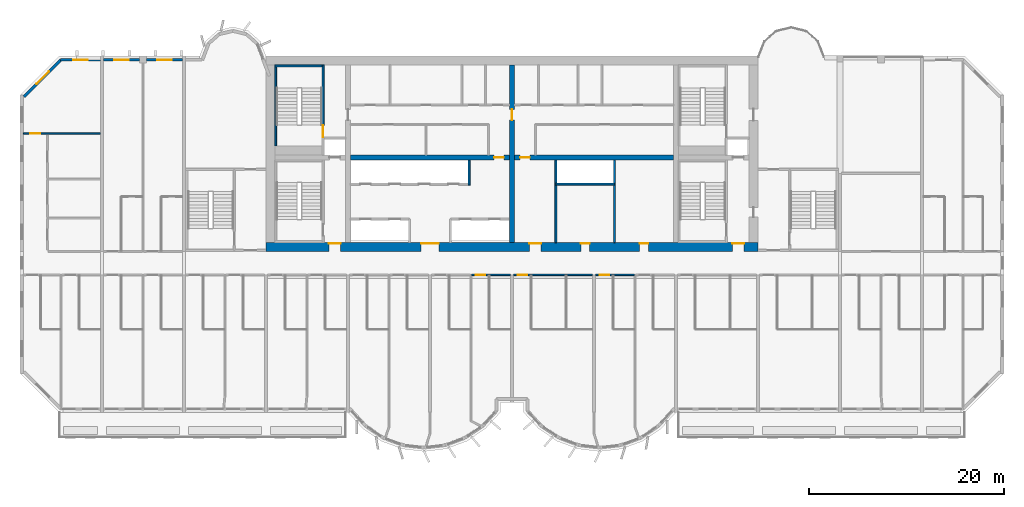
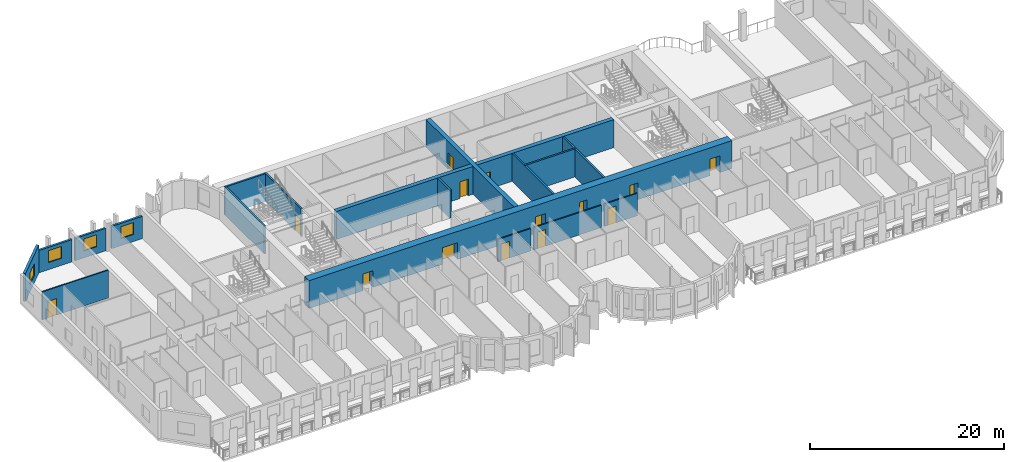
# One storey, part 7 of 15: 19 walls, 14 doors, 4 windows, 18 openings.
"""IFC4 building model written with IfcOpenShell, lengths in metres."""

from ifc_helpers import new_model, si_unit, direction, frame, frame_2d, origin, place, context, subcontext, project, spatial, rectangle, extrude, source, transform, mapped, material, layer, layer_set, type_object, element, fill, save


model = new_model("IFC4")

# Units and contexts
model_context = context("Model", 3, precision=1e-05, world=origin(), true_north=direction((0.0, 1.0)))
body_context = subcontext(model_context, "Body", "Model", "MODEL_VIEW")
ifc_project = project(units=[si_unit("LENGTHUNIT", "METRE"), si_unit("AREAUNIT", "SQUARE_METRE"), si_unit("VOLUMEUNIT", "CUBIC_METRE"), si_unit("PLANEANGLEUNIT", "RADIAN"), si_unit("MASSUNIT", "GRAM", prefix="KILO")], contexts=[model_context])

# Site, building, storey
site_placement = place(None, origin())
site = spatial("IfcSite", under=ifc_project, at=site_placement, CompositionType="ELEMENT")
building_placement = place(site_placement, origin())
building = spatial("IfcBuilding", under=site, at=building_placement, Name="Vanashikhar Sky Hotel", CompositionType="ELEMENT")
storey_placement = place(building_placement, frame((0.0, 0.0, 106.60009765625)))
storey = spatial("IfcBuildingStorey", under=building, at=storey_placement, Name="L25", CompositionType="ELEMENT", Elevation=106.60009765625)

# Wall, openings, doors
ifc_material_1 = material(Name="Concrete M70", Category="concrete")
ifc_layer_1 = layer(ifc_material_1, 0.89990234375)
ifc_layer_set_1 = layer_set([ifc_layer_1], Name="RC core shell wall 900 Concrete M70")
wall_type_1 = type_object("IfcWallType", Name="RC core shell wall 900 Concrete M70", PredefinedType="SHEAR", material=ifc_layer_set_1)
shared_shape_1 = source(origin(), body_context, "Body", "SweptSolid", [
    extrude(rectangle(XDim=50.400146484375, YDim=0.89990234375, at=frame_2d((25.2001953125, 0.0))), origin(), (0.0, 0.0, 1.0), 3.52001953125),
])
wall_1_placement = place(storey_placement, frame((25.199951171875, 22.449951171875, 0.0), z_axis=(0.0, 0.0, 1.0), x_axis=(1.0, 0.0, 0.0)))
wall_1 = element("IfcWall", 1, at=wall_1_placement, inside=storey, type_object=wall_type_1, Name="KW-L25-KS", PredefinedType="SHEAR", context=body_context, shape_type="MappedRepresentation", body=[
    mapped(shared_shape_1, transform((0.0, 0.0, 0.0), scale=1.0)),
])
shared_shape_2 = source(origin(), body_context, "Body", "SweptSolid", [
    extrude(rectangle(XDim=1.800048828125, YDim=2.10009765625, at=frame_2d((0.89990234375, 1.050048828125))), frame((0.0, 0.4599609375, 0.0), z_axis=(0.0, -1.0, 0.0), x_axis=(1.0, 0.0, 0.0)), (0.0, 0.0, 1.0), 0.919921875),
])
opening_1_placement = place(wall_1_placement, frame((15.89990234375, 0.0, 0.0)))
opening_1 = element("IfcOpeningElement", 2, at=opening_1_placement, cuts=wall_1, Name="Opening DC-3-A", PredefinedType="OPENING", context=body_context, shape_type="MappedRepresentation", body=[
    mapped(shared_shape_2, transform((0.0, 0.0, 0.0), scale=1.0)),
])
shared_shape_3 = source(origin(), body_context, "Body", "SweptSolid", [
    extrude(rectangle(XDim=1.199951171875, YDim=2.10009765625, at=frame_2d((0.60009765625, 1.050048828125))), frame((0.0, 0.4599609375, 0.0), z_axis=(0.0, -1.0, 0.0), x_axis=(1.0, 0.0, 0.0)), (0.0, 0.0, 1.0), 0.919921875),
])
opening_2_placement = place(wall_1_placement, frame((26.97509765625, 0.0, 0.0)))
opening_2 = element("IfcOpeningElement", 3, at=opening_2_placement, cuts=wall_1, Name="Opening DC-4-B", PredefinedType="OPENING", context=body_context, shape_type="MappedRepresentation", body=[
    mapped(shared_shape_3, transform((0.0, 0.0, 0.0), scale=1.0)),
])
shared_shape_4 = source(origin(), body_context, "Body", "SweptSolid", [
    extrude(rectangle(XDim=0.89990234375, YDim=2.10009765625, at=frame_2d((0.449951171875, 1.050048828125))), frame((0.0, 0.4599609375, 0.0), z_axis=(0.0, -1.0, 0.0), x_axis=(1.0, 0.0, 0.0)), (0.0, 0.0, 1.0), 0.919921875),
])
opening_3_placement = place(wall_1_placement, frame((32.25, 0.0, 0.0)))
opening_3 = element("IfcOpeningElement", 4, at=opening_3_placement, cuts=wall_1, Name="Opening DC-4-A", PredefinedType="OPENING", context=body_context, shape_type="MappedRepresentation", body=[
    mapped(shared_shape_4, transform((0.0, 0.0, 0.0), scale=1.0)),
])
opening_4_placement = place(wall_1_placement, frame((38.27490234375, 0.0, 0.0)))
opening_4 = element("IfcOpeningElement", 5, at=opening_4_placement, cuts=wall_1, Name="Opening DC-4-A", PredefinedType="OPENING", context=body_context, shape_type="MappedRepresentation", body=[
    mapped(shared_shape_4, transform((0.0, 0.0, 0.0), scale=1.0)),
])
opening_5_placement = place(wall_1_placement, frame((6.449951171875, 0.0, 0.0)))
opening_5 = element("IfcOpeningElement", 6, at=opening_5_placement, cuts=wall_1, Name="Opening DC-2", PredefinedType="OPENING", context=body_context, shape_type="MappedRepresentation", body=[
    mapped(shared_shape_3, transform((0.0, 0.0, 0.0), scale=1.0)),
])
opening_6_placement = place(wall_1_placement, frame((47.77490234375, 0.0, 0.0)))
opening_6 = element("IfcOpeningElement", 7, at=opening_6_placement, cuts=wall_1, Name="Opening DC-2", PredefinedType="OPENING", context=body_context, shape_type="MappedRepresentation", body=[
    mapped(shared_shape_3, transform((0.0, 0.0, 0.0), scale=1.0)),
])
ifc_material_2 = material(Name="Glass", Category="glass")
door_type_1 = type_object("IfcDoorType", Name="Lift lobby entrance door 1800 FD30S", OperationType="NOTDEFINED", PredefinedType="DOOR", material=ifc_material_2)
shared_shape_5 = source(origin(), body_context, "Body", "SweptSolid", [
    extrude(rectangle(XDim=1.800048828125, YDim=2.10009765625, at=frame_2d((0.89990234375, 1.050048828125))), frame((0.0, 0.375, 0.0), z_axis=(0.0, -1.0, 0.0), x_axis=(1.0, 0.0, 0.0)), (0.0, 0.0, 1.0), 0.050048828125),
])
door_1_placement = place(opening_1_placement, origin())
door_1 = element("IfcDoor", 8, at=door_1_placement, inside=storey, type_object=door_type_1, Name="Lift lobby entrance door 1800 FD30S", OperationType="DOUBLE_DOOR_SINGLE_SWING", OverallHeight=2.10009765625, OverallWidth=1.800048828125, PredefinedType="DOOR", context=body_context, shape_type="MappedRepresentation", body=[
    mapped(shared_shape_5, transform((0.0, 0.0, 0.0), scale=1.0)),
])
fill(opening_1, door_1)
ifc_material_3 = material(Name="Steel", Category="steel")
door_type_2 = type_object("IfcDoorType", Name="Service door 1200 FD60", OperationType="NOTDEFINED", PredefinedType="DOOR", material=ifc_material_3)
shared_shape_6 = source(origin(), body_context, "Body", "SweptSolid", [
    extrude(rectangle(XDim=1.199951171875, YDim=2.10009765625, at=frame_2d((0.60009765625, 1.050048828125))), frame((0.0, 0.375, 0.0), z_axis=(0.0, -1.0, 0.0), x_axis=(1.0, 0.0, 0.0)), (0.0, 0.0, 1.0), 0.050048828125),
])
door_2_placement = place(opening_2_placement, origin())
door_2 = element("IfcDoor", 9, at=door_2_placement, inside=storey, type_object=door_type_2, Name="Service door 1200 FD60", OperationType="SINGLE_SWING_LEFT", OverallHeight=2.10009765625, OverallWidth=1.199951171875, PredefinedType="DOOR", context=body_context, shape_type="MappedRepresentation", body=[
    mapped(shared_shape_6, transform((0.0, 0.0, 0.0), scale=1.0)),
])
fill(opening_2, door_2)
door_type_3 = type_object("IfcDoorType", Name="Firefighting lobby door 1200 FD120", OperationType="NOTDEFINED", PredefinedType="DOOR", material=ifc_material_3)
door_3_placement = place(opening_5_placement, origin())
door_3 = element("IfcDoor", 10, at=door_3_placement, inside=storey, type_object=door_type_3, Name="Firefighting lobby door 1200 FD120", OperationType="SINGLE_SWING_LEFT", OverallHeight=2.10009765625, OverallWidth=1.199951171875, PredefinedType="DOOR", context=body_context, shape_type="MappedRepresentation", body=[
    mapped(shared_shape_6, transform((0.0, 0.0, 0.0), scale=1.0)),
])
fill(opening_5, door_3)
door_4_placement = place(opening_6_placement, origin())
door_4 = element("IfcDoor", 11, at=door_4_placement, inside=storey, type_object=door_type_3, Name="Firefighting lobby door 1200 FD120", OperationType="SINGLE_SWING_LEFT", OverallHeight=2.10009765625, OverallWidth=1.199951171875, PredefinedType="DOOR", context=body_context, shape_type="MappedRepresentation", body=[
    mapped(shared_shape_6, transform((0.0, 0.0, 0.0), scale=1.0)),
])
fill(opening_6, door_4)
door_type_4 = type_object("IfcDoorType", Name="Service door 900 FD60", OperationType="NOTDEFINED", PredefinedType="DOOR", material=ifc_material_3)
shared_shape_7 = source(origin(), body_context, "Body", "SweptSolid", [
    extrude(rectangle(XDim=0.89990234375, YDim=2.10009765625, at=frame_2d((0.449951171875, 1.050048828125))), frame((0.0, 0.375, 0.0), z_axis=(0.0, -1.0, 0.0), x_axis=(1.0, 0.0, 0.0)), (0.0, 0.0, 1.0), 0.050048828125),
])
door_5_placement = place(opening_3_placement, origin())
door_5 = element("IfcDoor", 12, at=door_5_placement, inside=storey, type_object=door_type_4, Name="Service door 900 FD60", OperationType="SINGLE_SWING_RIGHT", OverallHeight=2.10009765625, OverallWidth=0.89990234375, PredefinedType="DOOR", context=body_context, shape_type="MappedRepresentation", body=[
    mapped(shared_shape_7, transform((0.0, 0.0, 0.0), scale=1.0)),
])
fill(opening_3, door_5)
door_6_placement = place(opening_4_placement, origin())
door_6 = element("IfcDoor", 13, at=door_6_placement, inside=storey, type_object=door_type_4, Name="Service door 900 FD60", OperationType="SINGLE_SWING_LEFT", OverallHeight=2.10009765625, OverallWidth=0.89990234375, PredefinedType="DOOR", context=body_context, shape_type="MappedRepresentation", body=[
    mapped(shared_shape_7, transform((0.0, 0.0, 0.0), scale=1.0)),
])
fill(opening_4, door_6)

# Wall, opening, door
ifc_layer_2 = layer(ifc_material_1, 0.5)
ifc_layer_set_2 = layer_set([ifc_layer_2], Name="RC core inner wall 500 Concrete M70")
wall_type_2 = type_object("IfcWallType", Name="RC core inner wall 500 Concrete M70", PredefinedType="SHEAR", material=ifc_layer_set_2)
shared_shape_8 = source(origin(), body_context, "Body", "SweptSolid", [
    extrude(rectangle(XDim=18.2001953125, YDim=0.5, at=frame_2d((9.10009765625, 0.0))), origin(), (0.0, 0.0, 1.0), 3.52001953125),
])
wall_2_placement = place(storey_placement, frame((50.39990234375, 22.89990234375, 0.0), z_axis=(0.0, 0.0, 1.0), x_axis=(0.0, 1.0, 0.0)))
wall_2 = element("IfcWall", 14, at=wall_2_placement, inside=storey, type_object=wall_type_2, Name="KW-L25-KX2", PredefinedType="SHEAR", context=body_context, shape_type="MappedRepresentation", body=[
    mapped(shared_shape_8, transform((0.0, 0.0, 0.0), scale=1.0)),
])
shared_shape_9 = source(origin(), body_context, "Body", "SweptSolid", [
    extrude(rectangle(XDim=1.10009765625, YDim=2.10009765625, at=frame_2d((0.550048828125, 1.050048828125))), frame((0.0, 0.260009765625, 0.0), z_axis=(0.0, -1.0, 0.0), x_axis=(1.0, 0.0, 0.0)), (0.0, 0.0, 1.0), 0.52001953125),
])
opening_7_placement = place(wall_2_placement, frame((12.550048828125, 0.0, 0.0)))
opening_7 = element("IfcOpeningElement", 15, at=opening_7_placement, cuts=wall_2, Name="Opening DC-4-C", PredefinedType="OPENING", context=body_context, shape_type="MappedRepresentation", body=[
    mapped(shared_shape_9, transform((0.0, 0.0, 0.0), scale=1.0)),
])
door_type_5 = type_object("IfcDoorType", Name="Service door 1100 FD60", OperationType="NOTDEFINED", PredefinedType="DOOR", material=ifc_material_3)
shared_shape_10 = source(origin(), body_context, "Body", "SweptSolid", [
    extrude(rectangle(XDim=1.10009765625, YDim=2.10009765625, at=frame_2d((0.550048828125, 1.050048828125))), frame((0.0, 0.02490234375, 0.0), z_axis=(0.0, -1.0, 0.0), x_axis=(1.0, 0.0, 0.0)), (0.0, 0.0, 1.0), 0.050048828125),
])
door_7_placement = place(opening_7_placement, origin())
door_7 = element("IfcDoor", 16, at=door_7_placement, inside=storey, type_object=door_type_5, Name="Service door 1100 FD60", OperationType="SINGLE_SWING_LEFT", OverallHeight=2.10009765625, OverallWidth=1.10009765625, PredefinedType="DOOR", context=body_context, shape_type="MappedRepresentation", body=[
    mapped(shared_shape_10, transform((0.0, 0.0, 0.0), scale=1.0)),
])
fill(opening_7, door_7)

shared_shape_11 = source(origin(), body_context, "Body", "SweptSolid", [
    extrude(rectangle(XDim=16.2998046875, YDim=0.5, at=frame_2d((8.14990234375, 0.0))), origin(), (0.0, 0.0, 1.0), 3.52001953125),
])
wall_3_placement = place(storey_placement, frame((33.85009765625, 31.60009765625, 0.0), z_axis=(0.0, 0.0, 1.0), x_axis=(1.0, 0.0, 0.0)))
wall_3 = element("IfcWall", 17, at=wall_3_placement, inside=storey, type_object=wall_type_2, Name="KW-L25-KY2", PredefinedType="SHEAR", context=body_context, shape_type="MappedRepresentation", body=[
    mapped(shared_shape_11, transform((0.0, 0.0, 0.0), scale=1.0)),
])
shared_shape_12 = source(origin(), body_context, "Body", "SweptSolid", [
    extrude(rectangle(XDim=1.0, YDim=2.10009765625, at=frame_2d((0.5, 1.050048828125))), frame((0.0, 0.260009765625, 0.0), z_axis=(0.0, -1.0, 0.0), x_axis=(1.0, 0.0, 0.0)), (0.0, 0.0, 1.0), 0.52001953125),
])
opening_8_placement = place(wall_3_placement, frame((14.72509765625, 0.0, 0.0)))
opening_8 = element("IfcOpeningElement", 18, at=opening_8_placement, cuts=wall_3, Name="Opening DC-4", PredefinedType="OPENING", context=body_context, shape_type="MappedRepresentation", body=[
    mapped(shared_shape_12, transform((0.0, 0.0, 0.0), scale=1.0)),
])
door_type_6 = type_object("IfcDoorType", Name="Service door 1000 FD60", OperationType="NOTDEFINED", PredefinedType="DOOR", material=ifc_material_3)
shared_shape_13 = source(origin(), body_context, "Body", "SweptSolid", [
    extrude(rectangle(XDim=1.0, YDim=2.10009765625, at=frame_2d((0.5, 1.050048828125))), frame((0.0, 0.02490234375, 0.0), z_axis=(0.0, -1.0, 0.0), x_axis=(1.0, 0.0, 0.0)), (0.0, 0.0, 1.0), 0.050048828125),
])
door_8_placement = place(opening_8_placement, origin())
door_8 = element("IfcDoor", 19, at=door_8_placement, inside=storey, type_object=door_type_6, Name="Service door 1000 FD60", OperationType="SINGLE_SWING_LEFT", OverallHeight=2.10009765625, OverallWidth=1.0, PredefinedType="DOOR", context=body_context, shape_type="MappedRepresentation", body=[
    mapped(shared_shape_13, transform((0.0, 0.0, 0.0), scale=1.0)),
])
fill(opening_8, door_8)

shared_shape_14 = source(origin(), body_context, "Body", "SweptSolid", [
    extrude(rectangle(XDim=16.300048828125, YDim=0.5, at=frame_2d((8.14990234375, 0.0))), origin(), (0.0, 0.0, 1.0), 3.52001953125),
])
wall_4_placement = place(storey_placement, frame((50.64990234375, 31.60009765625, 0.0), z_axis=(0.0, 0.0, 1.0), x_axis=(1.0, 0.0, 0.0)))
wall_4 = element("IfcWall", 20, at=wall_4_placement, inside=storey, type_object=wall_type_2, Name="KW-L25-KY3", PredefinedType="SHEAR", context=body_context, shape_type="MappedRepresentation", body=[
    mapped(shared_shape_14, transform((0.0, 0.0, 0.0), scale=1.0)),
])
opening_9_placement = place(wall_4_placement, frame((0.574951171875, 0.0, 0.0)))
opening_9 = element("IfcOpeningElement", 21, at=opening_9_placement, cuts=wall_4, Name="Opening DC-4", PredefinedType="OPENING", context=body_context, shape_type="MappedRepresentation", body=[
    mapped(shared_shape_12, transform((0.0, 0.0, 0.0), scale=1.0)),
])
door_9_placement = place(opening_9_placement, origin())
door_9 = element("IfcDoor", 22, at=door_9_placement, inside=storey, type_object=door_type_6, Name="Service door 1000 FD60", OperationType="SINGLE_SWING_LEFT", OverallHeight=2.10009765625, OverallWidth=1.0, PredefinedType="DOOR", context=body_context, shape_type="MappedRepresentation", body=[
    mapped(shared_shape_13, transform((0.0, 0.0, 0.0), scale=1.0)),
])
fill(opening_9, door_9)

# Wall, opening, window
ifc_material_4 = material(Name="Concrete M50", Category="concrete")
ifc_layer_3 = layer(ifc_material_4, 0.300048828125)
ifc_layer_set_3 = layer_set([ifc_layer_3], Name="Lobe wall 300")
wall_type_3 = type_object("IfcWallType", Name="Lobe wall 300", PredefinedType="SOLIDWALL", material=ifc_layer_set_3)
shared_shape_15 = source(origin(), body_context, "Body", "SweptSolid", [
    extrude(rectangle(XDim=5.32568359375, YDim=0.300048828125, at=frame_2d((2.662841796875, 0.0))), origin(), (0.0, 0.0, 1.0), 3.52001953125),
])
wall_5_placement = place(storey_placement, frame((4.165771484375, 41.60009765625, 0.0), z_axis=(0.0, 0.0, 1.0), x_axis=(-0.707106781187, -0.707106781187, 0.0)))
wall_5 = element("IfcWall", 23, at=wall_5_placement, inside=storey, type_object=wall_type_3, Name="Corner wall", PredefinedType="SOLIDWALL", context=body_context, shape_type="MappedRepresentation", body=[
    mapped(shared_shape_15, transform((0.0, 0.0, 0.0), scale=1.0)),
])
shared_shape_16 = source(origin(), body_context, "Body", "SweptSolid", [
    extrude(rectangle(XDim=1.800048828125, YDim=1.5, at=frame_2d((0.89990234375, 0.75))), frame((0.0, 0.16015625, 0.0), z_axis=(0.0, -1.0, 0.0), x_axis=(1.0, 0.0, 0.0)), (0.0, 0.0, 1.0), 0.320068359375),
])
opening_10_placement = place(wall_5_placement, frame((1.671875, 0.0, 0.89990234375)))
opening_10 = element("IfcOpeningElement", 24, at=opening_10_placement, cuts=wall_5, Name="Opening WN-4", PredefinedType="OPENING", context=body_context, shape_type="MappedRepresentation", body=[
    mapped(shared_shape_16, transform((0.0, 0.0, 0.0), scale=1.0)),
])
window_type_1 = type_object("IfcWindowType", Name="Corner window 1800 x 1500", PartitioningType="SINGLE_PANEL", PredefinedType="WINDOW", material=ifc_material_2)
shared_shape_17 = source(origin(), body_context, "Body", "SweptSolid", [
    extrude(rectangle(XDim=1.800048828125, YDim=1.5, at=frame_2d((0.89990234375, 0.75))), frame((0.0, 0.030029296875, 0.0), z_axis=(0.0, -1.0, 0.0), x_axis=(1.0, 0.0, 0.0)), (0.0, 0.0, 1.0), 0.06005859375),
])
window_1_placement = place(opening_10_placement, origin())
window_1 = element("IfcWindow", 25, at=window_1_placement, inside=storey, type_object=window_type_1, Name="Window WN-4", OverallHeight=1.5, OverallWidth=1.800048828125, PartitioningType="SINGLE_PANEL", PredefinedType="WINDOW", context=body_context, shape_type="MappedRepresentation", body=[
    mapped(shared_shape_17, transform((0.0, 0.0, 0.0), scale=1.0)),
])
fill(opening_10, window_1)

ifc_layer_4 = layer(ifc_material_4, 0.25)
ifc_layer_set_4 = layer_set([ifc_layer_4], Name="Rear and end board-marked wall 250")
wall_type_4 = type_object("IfcWallType", Name="Rear and end board-marked wall 250", PredefinedType="SOLIDWALL", material=ifc_layer_set_4)
shared_shape_18 = source(origin(), body_context, "Body", "SweptSolid", [
    extrude(rectangle(XDim=4.06982421875, YDim=0.25, at=frame_2d((2.034912109375, 0.0))), origin(), (0.0, 0.0, 1.0), 2.81982421875),
])
wall_6_placement = place(storey_placement, frame((8.22509765625, 41.625, 0.0), z_axis=(0.0, 0.0, 1.0), x_axis=(-1.0, 0.0, 0.0)))
wall_6 = element("IfcWall", 26, at=wall_6_placement, inside=storey, type_object=wall_type_4, Name="Rear board-marked wall", PredefinedType="SOLIDWALL", context=body_context, shape_type="MappedRepresentation", body=[
    mapped(shared_shape_18, transform((0.0, 0.0, 0.0), scale=1.0)),
])
shared_shape_19 = source(origin(), body_context, "Body", "SweptSolid", [
    extrude(rectangle(XDim=1.5, YDim=1.5, at=frame_2d((0.75, 0.75))), frame((0.0, 0.135009765625, 0.0), z_axis=(0.0, -1.0, 0.0), x_axis=(1.0, 0.0, 0.0)), (0.0, 0.0, 1.0), 0.27001953125),
])
opening_11_placement = place(wall_6_placement, frame((1.284912109375, 0.0, 0.89990234375)))
opening_11 = element("IfcOpeningElement", 27, at=opening_11_placement, cuts=wall_6, Name="Opening WN-1", PredefinedType="OPENING", context=body_context, shape_type="MappedRepresentation", body=[
    mapped(shared_shape_19, transform((0.0, 0.0, 0.0), scale=1.0)),
])
window_type_2 = type_object("IfcWindowType", Name="Window 1500 x 1500", PartitioningType="SINGLE_PANEL", PredefinedType="WINDOW", material=ifc_material_2)
shared_shape_20 = source(origin(), body_context, "Body", "SweptSolid", [
    extrude(rectangle(XDim=1.5, YDim=1.5, at=frame_2d((0.75, 0.75))), frame((0.0, 0.030029296875, 0.0), z_axis=(0.0, -1.0, 0.0), x_axis=(1.0, 0.0, 0.0)), (0.0, 0.0, 1.0), 0.06005859375),
])
window_2_placement = place(opening_11_placement, origin())
window_2 = element("IfcWindow", 28, at=window_2_placement, inside=storey, type_object=window_type_2, Name="Window WN-1", OverallHeight=1.5, OverallWidth=1.5, PartitioningType="SINGLE_PANEL", PredefinedType="WINDOW", context=body_context, shape_type="MappedRepresentation", body=[
    mapped(shared_shape_20, transform((0.0, 0.0, 0.0), scale=1.0)),
])
fill(opening_11, window_2)

shared_shape_21 = source(origin(), body_context, "Body", "SweptSolid", [
    extrude(rectangle(XDim=3.675048828125, YDim=0.25, at=frame_2d((1.83740234375, 0.0))), origin(), (0.0, 0.0, 1.0), 2.81982421875),
])
wall_7_placement = place(storey_placement, frame((12.25, 41.625, 0.0), z_axis=(0.0, 0.0, 1.0), x_axis=(-1.0, 0.0, 0.0)))
wall_7 = element("IfcWall", 29, at=wall_7_placement, inside=storey, type_object=wall_type_4, Name="Rear board-marked wall", PredefinedType="SOLIDWALL", context=body_context, shape_type="MappedRepresentation", body=[
    mapped(shared_shape_21, transform((0.0, 0.0, 0.0), scale=1.0)),
])
opening_12_placement = place(wall_7_placement, frame((1.08740234375, 0.0, 0.89990234375)))
opening_12 = element("IfcOpeningElement", 30, at=opening_12_placement, cuts=wall_7, Name="Opening WN-1", PredefinedType="OPENING", context=body_context, shape_type="MappedRepresentation", body=[
    mapped(shared_shape_19, transform((0.0, 0.0, 0.0), scale=1.0)),
])
window_3_placement = place(opening_12_placement, origin())
window_3 = element("IfcWindow", 31, at=window_3_placement, inside=storey, type_object=window_type_2, Name="Window WN-1", OverallHeight=1.5, OverallWidth=1.5, PartitioningType="SINGLE_PANEL", PredefinedType="WINDOW", context=body_context, shape_type="MappedRepresentation", body=[
    mapped(shared_shape_20, transform((0.0, 0.0, 0.0), scale=1.0)),
])
fill(opening_12, window_3)

wall_8_placement = place(storey_placement, frame((16.625, 41.625, 0.0), z_axis=(0.0, 0.0, 1.0), x_axis=(-1.0, 0.0, 0.0)))
wall_8 = element("IfcWall", 32, at=wall_8_placement, inside=storey, type_object=wall_type_4, Name="Rear board-marked wall", PredefinedType="SOLIDWALL", context=body_context, shape_type="MappedRepresentation", body=[
    mapped(shared_shape_21, transform((0.0, 0.0, 0.0), scale=1.0)),
])
opening_13_placement = place(wall_8_placement, frame((1.08740234375, 0.0, 0.89990234375)))
opening_13 = element("IfcOpeningElement", 33, at=opening_13_placement, cuts=wall_8, Name="Opening WN-1", PredefinedType="OPENING", context=body_context, shape_type="MappedRepresentation", body=[
    mapped(shared_shape_19, transform((0.0, 0.0, 0.0), scale=1.0)),
])
window_4_placement = place(opening_13_placement, origin())
window_4 = element("IfcWindow", 34, at=window_4_placement, inside=storey, type_object=window_type_2, Name="Window WN-1", OverallHeight=1.5, OverallWidth=1.5, PartitioningType="SINGLE_PANEL", PredefinedType="WINDOW", context=body_context, shape_type="MappedRepresentation", body=[
    mapped(shared_shape_20, transform((0.0, 0.0, 0.0), scale=1.0)),
])
fill(opening_13, window_4)

# Walls
ifc_material_5 = material(Name="Concrete M40", Category="concrete")
ifc_layer_5 = layer(ifc_material_5, 0.199951171875)
ifc_layer_set_5 = layer_set([ifc_layer_5], Name="Shaft wall 200")
wall_type_5 = type_object("IfcWallType", Name="Shaft wall 200", PredefinedType="SOLIDWALL", material=ifc_layer_set_5)
shared_shape_22 = source(origin(), body_context, "Body", "SweptSolid", [
    extrude(rectangle(XDim=6.0, YDim=0.199951171875, at=frame_2d((3.0, 0.0))), origin(), (0.0, 0.0, 1.0), 3.52001953125),
])
wall_9_placement = place(storey_placement, frame((60.89990234375, 28.89990234375, 0.0), z_axis=(0.0, 0.0, 1.0), x_axis=(-1.0, 0.0, 0.0)))
element("IfcWall", 35, at=wall_9_placement, inside=storey, type_object=wall_type_5, Name="Shaft wall 200", PredefinedType="SOLIDWALL", context=body_context, shape_type="MappedRepresentation", body=[
    mapped(shared_shape_22, transform((0.0, 0.0, 0.0), scale=1.0)),
])
shared_shape_23 = source(origin(), body_context, "Body", "SweptSolid", [
    extrude(rectangle(XDim=2.550048828125, YDim=0.199951171875, at=frame_2d((1.27490234375, 0.0))), origin(), (0.0, 0.0, 1.0), 3.52001953125),
])
wall_10_placement = place(storey_placement, frame((46.0, 28.800048828125, 0.0), z_axis=(0.0, 0.0, 1.0), x_axis=(0.0, 1.0, 0.0)))
element("IfcWall", 36, at=wall_10_placement, inside=storey, type_object=wall_type_5, Name="Shaft wall 200", PredefinedType="SOLIDWALL", context=body_context, shape_type="MappedRepresentation", body=[
    mapped(shared_shape_23, transform((0.0, 0.0, 0.0), scale=1.0)),
])
ifc_material_6 = material(Name="Gypsum board partition")
ifc_layer_6 = layer(ifc_material_6, 0.14990234375)
ifc_layer_set_6 = layer_set([ifc_layer_6], Name="Service partition 150")
wall_type_6 = type_object("IfcWallType", Name="Service partition 150", PredefinedType="PARTITIONING", material=ifc_layer_set_6)
shared_shape_24 = source(origin(), body_context, "Body", "SweptSolid", [
    extrude(rectangle(XDim=8.4501953125, YDim=0.199951171875, at=frame_2d((4.22509765625, 0.0))), origin(), (0.0, 0.0, 1.0), 3.52001953125),
])
for number, where, z_axis, x_axis, name in (
    (37, (54.89990234375, 22.89990234375, 0.0), (0.0, 0.0, 1.0), (0.0, 1.0, 0.0), "Service partition 150"),
    (38, (60.89990234375, 22.89990234375, 0.0), (0.0, 0.0, 1.0), (0.0, 1.0, 0.0), "Service partition 150"),
):
    element("IfcWall", number, at=place(storey_placement, frame(where, z_axis=z_axis, x_axis=x_axis)), inside=storey, type_object=wall_type_6, Name=name, PredefinedType="PARTITIONING", context=body_context, shape_type="MappedRepresentation", body=[
        mapped(shared_shape_24, transform((0.0, 0.0, 0.0), scale=1.0)),
    ])

# Wall, opening, door
ifc_layer_7 = layer(ifc_material_4, 0.199951171875)
ifc_layer_set_7 = layer_set([ifc_layer_7], Name="Stair wall 200")
wall_type_7 = type_object("IfcWallType", Name="Stair wall 200", PredefinedType="SOLIDWALL", material=ifc_layer_set_7)
shared_shape_25 = source(origin(), body_context, "Body", "SweptSolid", [
    extrude(rectangle(XDim=7.5, YDim=0.199951171875, at=frame_2d((3.75, 0.0))), origin(), (0.0, 0.0, 1.0), 3.52001953125),
])
wall_11_placement = place(storey_placement, frame((31.050048828125, 33.60009765625, 0.0), z_axis=(0.0, 0.0, 1.0), x_axis=(0.0, 1.0, 0.0)))
wall_11 = element("IfcWall", 39, at=wall_11_placement, inside=storey, type_object=wall_type_7, Name="Stair wall 200", PredefinedType="SOLIDWALL", context=body_context, shape_type="MappedRepresentation", body=[
    mapped(shared_shape_25, transform((0.0, 0.0, 0.0), scale=1.0)),
])
shared_shape_26 = source(origin(), body_context, "Body", "SweptSolid", [
    extrude(rectangle(XDim=1.199951171875, YDim=2.10009765625, at=frame_2d((0.60009765625, 1.050048828125))), frame((0.0, 0.10986328125, 0.0), z_axis=(0.0, -1.0, 0.0), x_axis=(1.0, 0.0, 0.0)), (0.0, 0.0, 1.0), 0.219970703125),
])
opening_14_placement = place(wall_11_placement, frame((0.10009765625, 0.0, 0.0)))
opening_14 = element("IfcOpeningElement", 40, at=opening_14_placement, cuts=wall_11, Name="Opening DC-1", PredefinedType="OPENING", context=body_context, shape_type="MappedRepresentation", body=[
    mapped(shared_shape_26, transform((0.0, 0.0, 0.0), scale=1.0)),
])
door_type_7 = type_object("IfcDoorType", Name="Stair door 1200 FD120", OperationType="NOTDEFINED", PredefinedType="DOOR", material=ifc_material_3)
shared_shape_27 = source(origin(), body_context, "Body", "SweptSolid", [
    extrude(rectangle(XDim=1.199951171875, YDim=2.10009765625, at=frame_2d((0.60009765625, 1.050048828125))), frame((0.0, 0.02490234375, 0.0), z_axis=(0.0, -1.0, 0.0), x_axis=(1.0, 0.0, 0.0)), (0.0, 0.0, 1.0), 0.050048828125),
])
door_10_placement = place(opening_14_placement, origin())
door_10 = element("IfcDoor", 41, at=door_10_placement, inside=storey, type_object=door_type_7, Name="Stair door 1200 FD120", OperationType="SINGLE_SWING_RIGHT", OverallHeight=2.10009765625, OverallWidth=1.199951171875, PredefinedType="DOOR", context=body_context, shape_type="MappedRepresentation", body=[
    mapped(shared_shape_27, transform((0.0, 0.0, 0.0), scale=1.0)),
])
fill(opening_14, door_10)

# Walls
ifc_layer_8 = layer(ifc_material_4, 0.199951171875)
ifc_layer_set_8 = layer_set([ifc_layer_8], Name="Stair infill wall 200")
wall_type_8 = type_object("IfcWallType", Name="Stair infill wall 200", PredefinedType="SOLIDWALL", material=ifc_layer_set_8)
shared_shape_28 = source(origin(), body_context, "Body", "SweptSolid", [
    extrude(rectangle(XDim=4.849853515625, YDim=0.199951171875, at=frame_2d((2.4248046875, 0.0))), origin(), (0.0, 0.0, 1.0), 3.52001953125),
])
wall_12_placement = place(storey_placement, frame((26.10009765625, 41.0, 0.0), z_axis=(0.0, 0.0, 1.0), x_axis=(1.0, 0.0, 0.0)))
element("IfcWall", 42, at=wall_12_placement, inside=storey, type_object=wall_type_8, Name="Stair infill wall 200", PredefinedType="SOLIDWALL", context=body_context, shape_type="MappedRepresentation", body=[
    mapped(shared_shape_28, transform((0.0, 0.0, 0.0), scale=1.0)),
])
shared_shape_29 = source(origin(), body_context, "Body", "SweptSolid", [
    extrude(rectangle(XDim=8.099853515625, YDim=0.199951171875, at=frame_2d((4.0498046875, 0.0))), origin(), (0.0, 0.0, 1.0), 3.52001953125),
])
wall_13_placement = place(storey_placement, frame((26.199951171875, 32.800048828125, 0.0), z_axis=(0.0, 0.0, 1.0), x_axis=(0.0, 1.0, 0.0)))
element("IfcWall", 43, at=wall_13_placement, inside=storey, type_object=wall_type_8, Name="Stair infill wall 200", PredefinedType="SOLIDWALL", context=body_context, shape_type="MappedRepresentation", body=[
    mapped(shared_shape_29, transform((0.0, 0.0, 0.0), scale=1.0)),
])

# Wall, opening, door
ifc_material_7 = material(Name="Gypsum plasterboard partition")
ifc_layer_9 = layer(ifc_material_7, 0.14990234375)
ifc_layer_set_9 = layer_set([ifc_layer_9], Name="Corridor and demising partition 150")
wall_type_9 = type_object("IfcWallType", Name="Corridor and demising partition 150", PredefinedType="PARTITIONING", material=ifc_layer_set_9)
shared_shape_30 = source(origin(), body_context, "Body", "SweptSolid", [
    extrude(rectangle(XDim=7.875, YDim=0.14990234375, at=frame_2d((3.9375, 0.0))), origin(), (0.0, 0.0, 1.0), 3.52001953125),
])
wall_14_placement = place(storey_placement, frame((0.35009765625, 34.074951171875, 0.0), z_axis=(0.0, 0.0, 1.0), x_axis=(1.0, 0.0, 0.0)))
wall_14 = element("IfcWall", 44, at=wall_14_placement, inside=storey, type_object=wall_type_9, Name="W-L25-PW087", PredefinedType="PARTITIONING", context=body_context, shape_type="MappedRepresentation", body=[
    mapped(shared_shape_30, transform((0.0, 0.0, 0.0), scale=1.0)),
])
shared_shape_31 = source(origin(), body_context, "Body", "SweptSolid", [
    extrude(rectangle(XDim=1.0, YDim=2.10009765625, at=frame_2d((0.5, 1.050048828125))), frame((0.0, 0.0849609375, 0.0), z_axis=(0.0, -1.0, 0.0), x_axis=(1.0, 0.0, 0.0)), (0.0, 0.0, 1.0), 0.169921875),
])
opening_15_placement = place(wall_14_placement, frame((0.699951171875, 0.0, 0.0)))
opening_15 = element("IfcOpeningElement", 45, at=opening_15_placement, cuts=wall_14, Name="Opening D-01", PredefinedType="OPENING", context=body_context, shape_type="MappedRepresentation", body=[
    mapped(shared_shape_31, transform((0.0, 0.0, 0.0), scale=1.0)),
])
ifc_material_8 = material(Name="Timber fire door", Category="wood")
door_type_8 = type_object("IfcDoorType", Name="Guest entry door 1000 FD30S", OperationType="NOTDEFINED", PredefinedType="DOOR", material=ifc_material_8)
door_11_placement = place(opening_15_placement, origin())
door_11 = element("IfcDoor", 46, at=door_11_placement, inside=storey, type_object=door_type_8, Name="D-L25-049", OperationType="SINGLE_SWING_LEFT", OverallHeight=2.10009765625, OverallWidth=1.0, PredefinedType="DOOR", context=body_context, shape_type="MappedRepresentation", body=[
    mapped(shared_shape_13, transform((0.0, 0.0, 0.0), scale=1.0)),
])
fill(opening_15, door_11)

shared_shape_32 = source(origin(), body_context, "Body", "SweptSolid", [
    extrude(rectangle(XDim=3.9501953125, YDim=0.14990234375, at=frame_2d((1.97509765625, 0.0))), origin(), (0.0, 0.0, 1.0), 2.81982421875),
])
wall_15_placement = place(storey_placement, frame((46.27490234375, 19.60009765625, 0.0), z_axis=(0.0, 0.0, 1.0), x_axis=(1.0, 0.0, 0.0)))
wall_15 = element("IfcWall", 47, at=wall_15_placement, inside=storey, type_object=wall_type_9, Name="W-L25-PW041", PredefinedType="PARTITIONING", context=body_context, shape_type="MappedRepresentation", body=[
    mapped(shared_shape_32, transform((0.0, 0.0, 0.0), scale=1.0)),
])
opening_16_placement = place(wall_15_placement, frame((0.39990234375, 0.0, 0.0)))
opening_16 = element("IfcOpeningElement", 48, at=opening_16_placement, cuts=wall_15, Name="Opening D-01", PredefinedType="OPENING", context=body_context, shape_type="MappedRepresentation", body=[
    mapped(shared_shape_31, transform((0.0, 0.0, 0.0), scale=1.0)),
])
door_12_placement = place(opening_16_placement, origin())
door_12 = element("IfcDoor", 49, at=door_12_placement, inside=storey, type_object=door_type_8, Name="D-L25-024", OperationType="SINGLE_SWING_LEFT", OverallHeight=2.10009765625, OverallWidth=1.0, PredefinedType="DOOR", context=body_context, shape_type="MappedRepresentation", body=[
    mapped(shared_shape_13, transform((0.0, 0.0, 0.0), scale=1.0)),
])
fill(opening_16, door_12)

shared_shape_33 = source(origin(), body_context, "Body", "SweptSolid", [
    extrude(rectangle(XDim=3.949951171875, YDim=0.14990234375, at=frame_2d((1.97509765625, 0.0))), origin(), (0.0, 0.0, 1.0), 2.81982421875),
])
wall_16_placement = place(storey_placement, frame((58.97509765625, 19.60009765625, 0.0), z_axis=(0.0, 0.0, 1.0), x_axis=(1.0, 0.0, 0.0)))
wall_16 = element("IfcWall", 50, at=wall_16_placement, inside=storey, type_object=wall_type_9, Name="W-L25-PW050", PredefinedType="PARTITIONING", context=body_context, shape_type="MappedRepresentation", body=[
    mapped(shared_shape_33, transform((0.0, 0.0, 0.0), scale=1.0)),
])
opening_17_placement = place(wall_16_placement, frame((0.39990234375, 0.0, 0.0)))
opening_17 = element("IfcOpeningElement", 51, at=opening_17_placement, cuts=wall_16, Name="Opening D-01", PredefinedType="OPENING", context=body_context, shape_type="MappedRepresentation", body=[
    mapped(shared_shape_31, transform((0.0, 0.0, 0.0), scale=1.0)),
])
door_13_placement = place(opening_17_placement, origin())
door_13 = element("IfcDoor", 52, at=door_13_placement, inside=storey, type_object=door_type_8, Name="D-L25-029", OperationType="SINGLE_SWING_LEFT", OverallHeight=2.10009765625, OverallWidth=1.0, PredefinedType="DOOR", context=body_context, shape_type="MappedRepresentation", body=[
    mapped(shared_shape_13, transform((0.0, 0.0, 0.0), scale=1.0)),
])
fill(opening_17, door_13)

shared_shape_34 = source(origin(), body_context, "Body", "SweptSolid", [
    extrude(rectangle(XDim=8.050048828125, YDim=0.14990234375, at=frame_2d((4.02490234375, 0.0))), origin(), (0.0, 0.0, 1.0), 2.81982421875),
])
wall_17_placement = place(storey_placement, frame((50.574951171875, 19.60009765625, 0.0), z_axis=(0.0, 0.0, 1.0), x_axis=(1.0, 0.0, 0.0)))
wall_17 = element("IfcWall", 53, at=wall_17_placement, inside=storey, type_object=wall_type_9, Name="W-L25-PW047", PredefinedType="PARTITIONING", context=body_context, shape_type="MappedRepresentation", body=[
    mapped(shared_shape_34, transform((0.0, 0.0, 0.0), scale=1.0)),
])
opening_18_placement = place(wall_17_placement, frame((0.39990234375, 0.0, 0.0)))
opening_18 = element("IfcOpeningElement", 54, at=opening_18_placement, cuts=wall_17, Name="Opening D-01", PredefinedType="OPENING", context=body_context, shape_type="MappedRepresentation", body=[
    mapped(shared_shape_31, transform((0.0, 0.0, 0.0), scale=1.0)),
])
door_14_placement = place(opening_18_placement, origin())
door_14 = element("IfcDoor", 55, at=door_14_placement, inside=storey, type_object=door_type_8, Name="D-L25-027", OperationType="SINGLE_SWING_LEFT", OverallHeight=2.10009765625, OverallWidth=1.0, PredefinedType="DOOR", context=body_context, shape_type="MappedRepresentation", body=[
    mapped(shared_shape_13, transform((0.0, 0.0, 0.0), scale=1.0)),
])
fill(opening_18, door_14)

save(model, "model.ifc")
